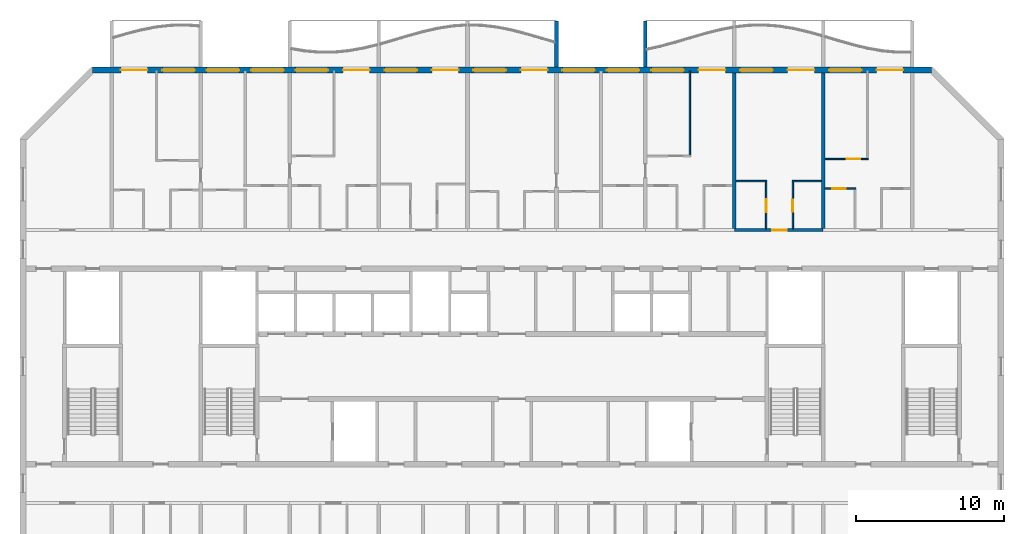
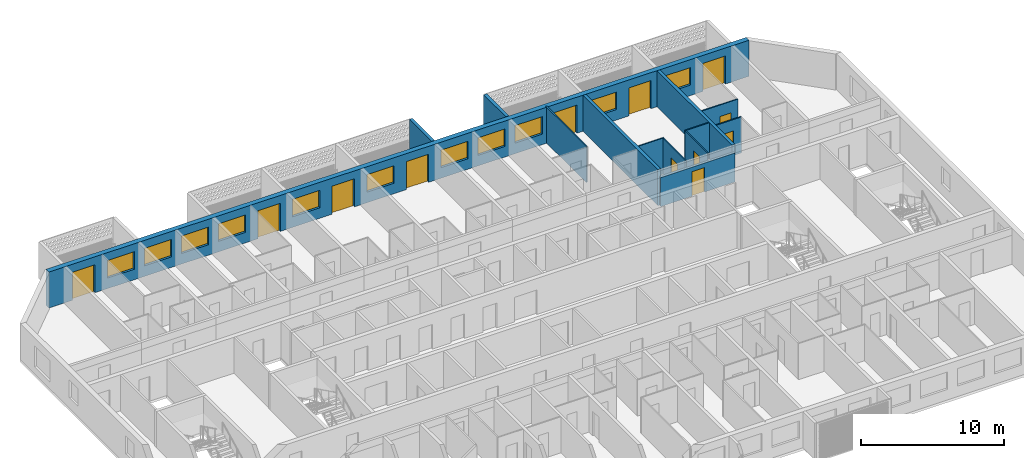
# One storey, part 10 of 29: 13 walls, 12 doors, 11 windows, 23 openings.
"""IFC4 building model written with IfcOpenShell, lengths in metres."""

from ifc_helpers import new_model, si_unit, direction, frame, frame_2d, origin, place, context, subcontext, project, spatial, polyline, rectangle, outline, extrude, source, transform, mapped, material, layer, layer_set, type_object, element, fill, save


model = new_model("IFC4")

# Units and contexts
model_context = context("Model", 3, precision=1e-05, world=origin(), true_north=direction((0.0, 1.0)))
body_context = subcontext(model_context, "Body", "Model", "MODEL_VIEW")
ifc_project = project(units=[si_unit("LENGTHUNIT", "METRE"), si_unit("AREAUNIT", "SQUARE_METRE"), si_unit("VOLUMEUNIT", "CUBIC_METRE"), si_unit("PLANEANGLEUNIT", "RADIAN"), si_unit("MASSUNIT", "GRAM", prefix="KILO")], contexts=[model_context])

# Site, building, storey
site_placement = place(None, origin())
site = spatial("IfcSite", under=ifc_project, at=site_placement, CompositionType="ELEMENT")
building_placement = place(site_placement, origin())
building = spatial("IfcBuilding", under=site, at=building_placement, Name="Poui Terraces", CompositionType="ELEMENT")
storey_placement = place(building_placement, frame((0.0, 0.0, 234.60009765625)))
storey = spatial("IfcBuildingStorey", under=building, at=storey_placement, Name="L65", CompositionType="ELEMENT", Elevation=234.60009765625)

# Wall, opening, door
ifc_material_1 = material(Name="Concrete 50 MPa", Category="concrete")
ifc_layer_1 = layer(ifc_material_1, 0.199951171875)
ifc_layer_set_1 = layer_set([ifc_layer_1], Name="Concrete 50 MPa")
wall_type_1 = type_object("IfcWallType", Name="CORRIDOR WALL 200 50MPa", PredefinedType="SHEAR", material=ifc_layer_set_1)
wall_1_placement = place(storey_placement, frame((66.0, 30.39990234375, 0.0), z_axis=(0.0, 0.0, 1.0), x_axis=(1.0, 0.0, 0.0)))
wall_1 = element("IfcWall", 1, at=wall_1_placement, inside=storey, type_object=wall_type_1, Name="CORRIDOR WALL LINE E BAY 9", PredefinedType="SHEAR", context=body_context, shape_type="SweptSolid", body=[
    extrude(rectangle(XDim=6.0, YDim=0.199951171875, at=frame_2d((3.0, 0.0))), origin(), (0.0, 0.0, 1.0), 2.47998046875),
])
opening_1_placement = place(wall_1_placement, frame((2.550048828125, 0.0, 0.0)))
opening_1 = element("IfcOpeningElement", 2, at=opening_1_placement, cuts=wall_1, Name="Opening FD30S", PredefinedType="OPENING", context=body_context, shape_type="SweptSolid", body=[
    extrude(rectangle(XDim=1.0, YDim=2.10009765625, at=frame_2d((0.5, 1.050048828125))), frame((0.0, 0.10986328125, 0.0), z_axis=(0.0, -1.0, 0.0), x_axis=(1.0, 0.0, 0.0)), (0.0, 0.0, 1.0), 0.219970703125),
])
ifc_material_2 = material(Name="Steel fire door", Category="steel")
door_type_1 = type_object("IfcDoorType", Name="FLAT ENTRANCE DOOR 1000 X 2100", OperationType="NOTDEFINED", PredefinedType="DOOR", material=ifc_material_2)
door_1_placement = place(opening_1_placement, origin())
door_1 = element("IfcDoor", 3, at=door_1_placement, inside=storey, type_object=door_type_1, Name="FLAT ENTRANCE DOOR 056", OperationType="SINGLE_SWING_RIGHT", OverallHeight=2.10009765625, OverallWidth=1.0, PredefinedType="DOOR", context=body_context, shape_type="SweptSolid", body=[
    extrude(rectangle(XDim=1.0, YDim=2.10009765625, at=frame_2d((0.5, 1.050048828125))), frame((0.0, 0.02490234375, 0.0), z_axis=(0.0, -1.0, 0.0), x_axis=(1.0, 0.0, 0.0)), (0.0, 0.0, 1.0), 0.050048828125),
])
fill(opening_1, door_1)

# Walls
ifc_layer_2 = layer(ifc_material_1, 0.25)
ifc_layer_set_2 = layer_set([ifc_layer_2], Name="Concrete 50 MPa")
wall_type_2 = type_object("IfcWallType", Name="CROSS WALL 250 50MPa", PredefinedType="SHEAR", material=ifc_layer_set_2)
for number, where, z_axis, x_axis, name in (
    (4, (66.0, 30.5, 0.0), (0.0, 0.0, 1.0), (0.0, 1.0, 0.0), "CROSS WALL LINE 12 NORTH"),
    (5, (72.0, 30.5, 0.0), (0.0, 0.0, 1.0), (0.0, 1.0, 0.0), "CROSS WALL LINE 13 NORTH"),
):
    element("IfcWall", number, at=place(storey_placement, frame(where, z_axis=z_axis, x_axis=x_axis)), inside=storey, type_object=wall_type_2, Name=name, PredefinedType="SHEAR", context=body_context, shape_type="SweptSolid", body=[
        extrude(rectangle(XDim=10.5, YDim=0.25, at=frame_2d((5.25, 0.0))), origin(), (0.0, 0.0, 1.0), 3.079833984375),
    ])

# Wall, openings, doors, windows
ifc_material_3 = material(Name="Precast concrete 40 MPa", Category="concrete")
ifc_layer_3 = layer(ifc_material_3, 0.39990234375)
ifc_layer_set_3 = layer_set([ifc_layer_3], Name="Precast concrete 40 MPa")
wall_type_3 = type_object("IfcWallType", Name="EXTERNAL WALL 400", PredefinedType="STANDARD", material=ifc_layer_set_3)
wall_2_placement = place(storey_placement, frame((79.317138671875, 41.199951171875, 0.0), z_axis=(0.0, 0.0, 1.0), x_axis=(-1.0, 0.0, 0.0)))
wall_2 = element("IfcWall", 6, at=wall_2_placement, inside=storey, type_object=wall_type_3, Name="EXTERNAL WALL N", PredefinedType="STANDARD", context=body_context, shape_type="SweptSolid", body=[
    extrude(rectangle(XDim=56.63427734375, YDim=0.39990234375, at=frame_2d((28.317138671875, 0.0))), origin(), (0.0, 0.0, 1.0), 3.079833984375),
])
opening_2_placement = place(wall_2_placement, frame((52.917236328125, 0.0, 0.0)))
opening_2 = element("IfcOpeningElement", 7, at=opening_2_placement, cuts=wall_2, Name="Opening BD1", PredefinedType="OPENING", context=body_context, shape_type="SweptSolid", body=[
    extrude(rectangle(XDim=1.800048828125, YDim=2.39990234375, at=frame_2d((0.89990234375, 1.199951171875))), frame((0.0, 0.2099609375, 0.0), z_axis=(0.0, -1.0, 0.0), x_axis=(1.0, 0.0, 0.0)), (0.0, 0.0, 1.0), 0.419921875),
])
opening_3_placement = place(wall_2_placement, frame((49.71728515625, 0.0, 0.89990234375)))
opening_3 = element("IfcOpeningElement", 8, at=opening_3_placement, cuts=wall_2, Name="Opening W1", PredefinedType="OPENING", context=body_context, shape_type="SweptSolid", body=[
    extrude(rectangle(XDim=2.199951171875, YDim=1.5, at=frame_2d((1.10009765625, 0.75))), frame((0.0, 0.2099609375, 0.0), z_axis=(0.0, -1.0, 0.0), x_axis=(1.0, 0.0, 0.0)), (0.0, 0.0, 1.0), 0.419921875),
])
opening_4_placement = place(wall_2_placement, frame((46.71728515625, 0.0, 0.89990234375)))
opening_4 = element("IfcOpeningElement", 9, at=opening_4_placement, cuts=wall_2, Name="Opening W1", PredefinedType="OPENING", context=body_context, shape_type="SweptSolid", body=[
    extrude(rectangle(XDim=2.199951171875, YDim=1.5, at=frame_2d((1.10009765625, 0.75))), frame((0.0, 0.2099609375, 0.0), z_axis=(0.0, -1.0, 0.0), x_axis=(1.0, 0.0, 0.0)), (0.0, 0.0, 1.0), 0.419921875),
])
opening_5_placement = place(wall_2_placement, frame((43.71728515625, 0.0, 0.89990234375)))
opening_5 = element("IfcOpeningElement", 10, at=opening_5_placement, cuts=wall_2, Name="Opening W1", PredefinedType="OPENING", context=body_context, shape_type="SweptSolid", body=[
    extrude(rectangle(XDim=2.199951171875, YDim=1.5, at=frame_2d((1.10009765625, 0.75))), frame((0.0, 0.2099609375, 0.0), z_axis=(0.0, -1.0, 0.0), x_axis=(1.0, 0.0, 0.0)), (0.0, 0.0, 1.0), 0.419921875),
])
opening_6_placement = place(wall_2_placement, frame((40.71728515625, 0.0, 0.89990234375)))
opening_6 = element("IfcOpeningElement", 11, at=opening_6_placement, cuts=wall_2, Name="Opening W1", PredefinedType="OPENING", context=body_context, shape_type="SweptSolid", body=[
    extrude(rectangle(XDim=2.199951171875, YDim=1.5, at=frame_2d((1.10009765625, 0.75))), frame((0.0, 0.2099609375, 0.0), z_axis=(0.0, -1.0, 0.0), x_axis=(1.0, 0.0, 0.0)), (0.0, 0.0, 1.0), 0.419921875),
])
opening_7_placement = place(wall_2_placement, frame((37.917236328125, 0.0, 0.0)))
opening_7 = element("IfcOpeningElement", 12, at=opening_7_placement, cuts=wall_2, Name="Opening BD1", PredefinedType="OPENING", context=body_context, shape_type="SweptSolid", body=[
    extrude(rectangle(XDim=1.800048828125, YDim=2.39990234375, at=frame_2d((0.89990234375, 1.199951171875))), frame((0.0, 0.2099609375, 0.0), z_axis=(0.0, -1.0, 0.0), x_axis=(1.0, 0.0, 0.0)), (0.0, 0.0, 1.0), 0.419921875),
])
opening_8_placement = place(wall_2_placement, frame((34.71728515625, 0.0, 0.89990234375)))
opening_8 = element("IfcOpeningElement", 13, at=opening_8_placement, cuts=wall_2, Name="Opening W1", PredefinedType="OPENING", context=body_context, shape_type="SweptSolid", body=[
    extrude(rectangle(XDim=2.199951171875, YDim=1.5, at=frame_2d((1.10009765625, 0.75))), frame((0.0, 0.2099609375, 0.0), z_axis=(0.0, -1.0, 0.0), x_axis=(1.0, 0.0, 0.0)), (0.0, 0.0, 1.0), 0.419921875),
])
opening_9_placement = place(wall_2_placement, frame((31.917236328125, 0.0, 0.0)))
opening_9 = element("IfcOpeningElement", 14, at=opening_9_placement, cuts=wall_2, Name="Opening BD1", PredefinedType="OPENING", context=body_context, shape_type="SweptSolid", body=[
    extrude(rectangle(XDim=1.800048828125, YDim=2.39990234375, at=frame_2d((0.89990234375, 1.199951171875))), frame((0.0, 0.2099609375, 0.0), z_axis=(0.0, -1.0, 0.0), x_axis=(1.0, 0.0, 0.0)), (0.0, 0.0, 1.0), 0.419921875),
])
opening_10_placement = place(wall_2_placement, frame((28.71728515625, 0.0, 0.89990234375)))
opening_10 = element("IfcOpeningElement", 15, at=opening_10_placement, cuts=wall_2, Name="Opening W1", PredefinedType="OPENING", context=body_context, shape_type="SweptSolid", body=[
    extrude(rectangle(XDim=2.199951171875, YDim=1.5, at=frame_2d((1.10009765625, 0.75))), frame((0.0, 0.2099609375, 0.0), z_axis=(0.0, -1.0, 0.0), x_axis=(1.0, 0.0, 0.0)), (0.0, 0.0, 1.0), 0.419921875),
])
opening_11_placement = place(wall_2_placement, frame((25.917236328125, 0.0, 0.0)))
opening_11 = element("IfcOpeningElement", 16, at=opening_11_placement, cuts=wall_2, Name="Opening BD1", PredefinedType="OPENING", context=body_context, shape_type="SweptSolid", body=[
    extrude(rectangle(XDim=1.800048828125, YDim=2.39990234375, at=frame_2d((0.89990234375, 1.199951171875))), frame((0.0, 0.2099609375, 0.0), z_axis=(0.0, -1.0, 0.0), x_axis=(1.0, 0.0, 0.0)), (0.0, 0.0, 1.0), 0.419921875),
])
opening_12_placement = place(wall_2_placement, frame((22.71728515625, 0.0, 0.89990234375)))
opening_12 = element("IfcOpeningElement", 17, at=opening_12_placement, cuts=wall_2, Name="Opening W1", PredefinedType="OPENING", context=body_context, shape_type="SweptSolid", body=[
    extrude(rectangle(XDim=2.199951171875, YDim=1.5, at=frame_2d((1.10009765625, 0.75))), frame((0.0, 0.2099609375, 0.0), z_axis=(0.0, -1.0, 0.0), x_axis=(1.0, 0.0, 0.0)), (0.0, 0.0, 1.0), 0.419921875),
])
opening_13_placement = place(wall_2_placement, frame((19.71728515625, 0.0, 0.89990234375)))
opening_13 = element("IfcOpeningElement", 18, at=opening_13_placement, cuts=wall_2, Name="Opening W1", PredefinedType="OPENING", context=body_context, shape_type="SweptSolid", body=[
    extrude(rectangle(XDim=2.199951171875, YDim=1.5, at=frame_2d((1.10009765625, 0.75))), frame((0.0, 0.2099609375, 0.0), z_axis=(0.0, -1.0, 0.0), x_axis=(1.0, 0.0, 0.0)), (0.0, 0.0, 1.0), 0.419921875),
])
opening_14_placement = place(wall_2_placement, frame((16.71728515625, 0.0, 0.89990234375)))
opening_14 = element("IfcOpeningElement", 19, at=opening_14_placement, cuts=wall_2, Name="Opening W1", PredefinedType="OPENING", context=body_context, shape_type="SweptSolid", body=[
    extrude(rectangle(XDim=2.199951171875, YDim=1.5, at=frame_2d((1.10009765625, 0.75))), frame((0.0, 0.2099609375, 0.0), z_axis=(0.0, -1.0, 0.0), x_axis=(1.0, 0.0, 0.0)), (0.0, 0.0, 1.0), 0.419921875),
])
opening_15_placement = place(wall_2_placement, frame((13.917236328125, 0.0, 0.0)))
opening_15 = element("IfcOpeningElement", 20, at=opening_15_placement, cuts=wall_2, Name="Opening BD1", PredefinedType="OPENING", context=body_context, shape_type="SweptSolid", body=[
    extrude(rectangle(XDim=1.800048828125, YDim=2.39990234375, at=frame_2d((0.89990234375, 1.199951171875))), frame((0.0, 0.2099609375, 0.0), z_axis=(0.0, -1.0, 0.0), x_axis=(1.0, 0.0, 0.0)), (0.0, 0.0, 1.0), 0.419921875),
])
opening_16_placement = place(wall_2_placement, frame((10.71728515625, 0.0, 0.89990234375)))
opening_16 = element("IfcOpeningElement", 21, at=opening_16_placement, cuts=wall_2, Name="Opening W1", PredefinedType="OPENING", context=body_context, shape_type="SweptSolid", body=[
    extrude(rectangle(XDim=2.199951171875, YDim=1.5, at=frame_2d((1.10009765625, 0.75))), frame((0.0, 0.2099609375, 0.0), z_axis=(0.0, -1.0, 0.0), x_axis=(1.0, 0.0, 0.0)), (0.0, 0.0, 1.0), 0.419921875),
])
opening_17_placement = place(wall_2_placement, frame((7.917236328125, 0.0, 0.0)))
opening_17 = element("IfcOpeningElement", 22, at=opening_17_placement, cuts=wall_2, Name="Opening BD1", PredefinedType="OPENING", context=body_context, shape_type="SweptSolid", body=[
    extrude(rectangle(XDim=1.800048828125, YDim=2.39990234375, at=frame_2d((0.89990234375, 1.199951171875))), frame((0.0, 0.2099609375, 0.0), z_axis=(0.0, -1.0, 0.0), x_axis=(1.0, 0.0, 0.0)), (0.0, 0.0, 1.0), 0.419921875),
])
opening_18_placement = place(wall_2_placement, frame((4.71728515625, 0.0, 0.89990234375)))
opening_18 = element("IfcOpeningElement", 23, at=opening_18_placement, cuts=wall_2, Name="Opening W1", PredefinedType="OPENING", context=body_context, shape_type="SweptSolid", body=[
    extrude(rectangle(XDim=2.199951171875, YDim=1.5, at=frame_2d((1.10009765625, 0.75))), frame((0.0, 0.2099609375, 0.0), z_axis=(0.0, -1.0, 0.0), x_axis=(1.0, 0.0, 0.0)), (0.0, 0.0, 1.0), 0.419921875),
])
opening_19_placement = place(wall_2_placement, frame((1.917236328125, 0.0, 0.0)))
opening_19 = element("IfcOpeningElement", 24, at=opening_19_placement, cuts=wall_2, Name="Opening BD1", PredefinedType="OPENING", context=body_context, shape_type="SweptSolid", body=[
    extrude(rectangle(XDim=1.800048828125, YDim=2.39990234375, at=frame_2d((0.89990234375, 1.199951171875))), frame((0.0, 0.2099609375, 0.0), z_axis=(0.0, -1.0, 0.0), x_axis=(1.0, 0.0, 0.0)), (0.0, 0.0, 1.0), 0.419921875),
])
ifc_material_4 = material(Name="Clear glass in aluminium frame", Category="aluminium")
door_type_2 = type_object("IfcDoorType", Name="BALCONY DOOR 1800X2400", OperationType="DOUBLE_DOOR_SLIDING", PredefinedType="DOOR", material=ifc_material_4)
door_2_placement = place(opening_2_placement, origin())
door_2 = element("IfcDoor", 25, at=door_2_placement, inside=storey, type_object=door_type_2, Name="BD1 BALCONY DOOR", OperationType="DOUBLE_DOOR_SLIDING", OverallHeight=2.39990234375, OverallWidth=1.800048828125, PredefinedType="DOOR", context=body_context, shape_type="SweptSolid", body=[
    extrude(rectangle(XDim=1.800048828125, YDim=2.39990234375, at=frame_2d((0.89990234375, 1.199951171875))), frame((0.0, 0.02490234375, 0.0), z_axis=(0.0, -1.0, 0.0), x_axis=(1.0, 0.0, 0.0)), (0.0, 0.0, 1.0), 0.050048828125),
])
fill(opening_2, door_2)
door_3_placement = place(opening_7_placement, origin())
door_3 = element("IfcDoor", 26, at=door_3_placement, inside=storey, type_object=door_type_2, Name="BD1 BALCONY DOOR", OperationType="DOUBLE_DOOR_SLIDING", OverallHeight=2.39990234375, OverallWidth=1.800048828125, PredefinedType="DOOR", context=body_context, shape_type="SweptSolid", body=[
    extrude(rectangle(XDim=1.800048828125, YDim=2.39990234375, at=frame_2d((0.89990234375, 1.199951171875))), frame((0.0, 0.02490234375, 0.0), z_axis=(0.0, -1.0, 0.0), x_axis=(1.0, 0.0, 0.0)), (0.0, 0.0, 1.0), 0.050048828125),
])
fill(opening_7, door_3)
door_4_placement = place(opening_9_placement, origin())
door_4 = element("IfcDoor", 27, at=door_4_placement, inside=storey, type_object=door_type_2, Name="BD1 BALCONY DOOR", OperationType="DOUBLE_DOOR_SLIDING", OverallHeight=2.39990234375, OverallWidth=1.800048828125, PredefinedType="DOOR", context=body_context, shape_type="SweptSolid", body=[
    extrude(rectangle(XDim=1.800048828125, YDim=2.39990234375, at=frame_2d((0.89990234375, 1.199951171875))), frame((0.0, 0.02490234375, 0.0), z_axis=(0.0, -1.0, 0.0), x_axis=(1.0, 0.0, 0.0)), (0.0, 0.0, 1.0), 0.050048828125),
])
fill(opening_9, door_4)
door_5_placement = place(opening_11_placement, origin())
door_5 = element("IfcDoor", 28, at=door_5_placement, inside=storey, type_object=door_type_2, Name="BD1 BALCONY DOOR", OperationType="DOUBLE_DOOR_SLIDING", OverallHeight=2.39990234375, OverallWidth=1.800048828125, PredefinedType="DOOR", context=body_context, shape_type="SweptSolid", body=[
    extrude(rectangle(XDim=1.800048828125, YDim=2.39990234375, at=frame_2d((0.89990234375, 1.199951171875))), frame((0.0, 0.02490234375, 0.0), z_axis=(0.0, -1.0, 0.0), x_axis=(1.0, 0.0, 0.0)), (0.0, 0.0, 1.0), 0.050048828125),
])
fill(opening_11, door_5)
door_6_placement = place(opening_15_placement, origin())
door_6 = element("IfcDoor", 29, at=door_6_placement, inside=storey, type_object=door_type_2, Name="BD1 BALCONY DOOR", OperationType="DOUBLE_DOOR_SLIDING", OverallHeight=2.39990234375, OverallWidth=1.800048828125, PredefinedType="DOOR", context=body_context, shape_type="SweptSolid", body=[
    extrude(rectangle(XDim=1.800048828125, YDim=2.39990234375, at=frame_2d((0.89990234375, 1.199951171875))), frame((0.0, 0.02490234375, 0.0), z_axis=(0.0, -1.0, 0.0), x_axis=(1.0, 0.0, 0.0)), (0.0, 0.0, 1.0), 0.050048828125),
])
fill(opening_15, door_6)
door_7_placement = place(opening_17_placement, origin())
door_7 = element("IfcDoor", 30, at=door_7_placement, inside=storey, type_object=door_type_2, Name="BD1 BALCONY DOOR", OperationType="DOUBLE_DOOR_SLIDING", OverallHeight=2.39990234375, OverallWidth=1.800048828125, PredefinedType="DOOR", context=body_context, shape_type="SweptSolid", body=[
    extrude(rectangle(XDim=1.800048828125, YDim=2.39990234375, at=frame_2d((0.89990234375, 1.199951171875))), frame((0.0, 0.02490234375, 0.0), z_axis=(0.0, -1.0, 0.0), x_axis=(1.0, 0.0, 0.0)), (0.0, 0.0, 1.0), 0.050048828125),
])
fill(opening_17, door_7)
door_8_placement = place(opening_19_placement, origin())
door_8 = element("IfcDoor", 31, at=door_8_placement, inside=storey, type_object=door_type_2, Name="BD1 BALCONY DOOR", OperationType="DOUBLE_DOOR_SLIDING", OverallHeight=2.39990234375, OverallWidth=1.800048828125, PredefinedType="DOOR", context=body_context, shape_type="SweptSolid", body=[
    extrude(rectangle(XDim=1.800048828125, YDim=2.39990234375, at=frame_2d((0.89990234375, 1.199951171875))), frame((0.0, 0.02490234375, 0.0), z_axis=(0.0, -1.0, 0.0), x_axis=(1.0, 0.0, 0.0)), (0.0, 0.0, 1.0), 0.050048828125),
])
fill(opening_19, door_8)
window_type = type_object("IfcWindowType", Name="WINDOW 2200X1500", PartitioningType="DOUBLE_PANEL_HORIZONTAL", PredefinedType="WINDOW", material=ifc_material_4)
window_1_placement = place(opening_3_placement, origin())
window_1 = element("IfcWindow", 32, at=window_1_placement, inside=storey, type_object=window_type, Name="W1 WINDOW", OverallHeight=1.5, OverallWidth=2.199951171875, PartitioningType="DOUBLE_PANEL_HORIZONTAL", PredefinedType="WINDOW", context=body_context, shape_type="SweptSolid", body=[
    extrude(rectangle(XDim=2.199951171875, YDim=1.5, at=frame_2d((1.10009765625, 0.75))), frame((0.0, 0.030029296875, 0.0), z_axis=(0.0, -1.0, 0.0), x_axis=(1.0, 0.0, 0.0)), (0.0, 0.0, 1.0), 0.06005859375),
])
fill(opening_3, window_1)
window_2_placement = place(opening_4_placement, origin())
window_2 = element("IfcWindow", 33, at=window_2_placement, inside=storey, type_object=window_type, Name="W1 WINDOW", OverallHeight=1.5, OverallWidth=2.199951171875, PartitioningType="DOUBLE_PANEL_HORIZONTAL", PredefinedType="WINDOW", context=body_context, shape_type="SweptSolid", body=[
    extrude(rectangle(XDim=2.199951171875, YDim=1.5, at=frame_2d((1.10009765625, 0.75))), frame((0.0, 0.030029296875, 0.0), z_axis=(0.0, -1.0, 0.0), x_axis=(1.0, 0.0, 0.0)), (0.0, 0.0, 1.0), 0.06005859375),
])
fill(opening_4, window_2)
window_3_placement = place(opening_5_placement, origin())
window_3 = element("IfcWindow", 34, at=window_3_placement, inside=storey, type_object=window_type, Name="W1 WINDOW", OverallHeight=1.5, OverallWidth=2.199951171875, PartitioningType="DOUBLE_PANEL_HORIZONTAL", PredefinedType="WINDOW", context=body_context, shape_type="SweptSolid", body=[
    extrude(rectangle(XDim=2.199951171875, YDim=1.5, at=frame_2d((1.10009765625, 0.75))), frame((0.0, 0.030029296875, 0.0), z_axis=(0.0, -1.0, 0.0), x_axis=(1.0, 0.0, 0.0)), (0.0, 0.0, 1.0), 0.06005859375),
])
fill(opening_5, window_3)
window_4_placement = place(opening_6_placement, origin())
window_4 = element("IfcWindow", 35, at=window_4_placement, inside=storey, type_object=window_type, Name="W1 WINDOW", OverallHeight=1.5, OverallWidth=2.199951171875, PartitioningType="DOUBLE_PANEL_HORIZONTAL", PredefinedType="WINDOW", context=body_context, shape_type="SweptSolid", body=[
    extrude(rectangle(XDim=2.199951171875, YDim=1.5, at=frame_2d((1.10009765625, 0.75))), frame((0.0, 0.030029296875, 0.0), z_axis=(0.0, -1.0, 0.0), x_axis=(1.0, 0.0, 0.0)), (0.0, 0.0, 1.0), 0.06005859375),
])
fill(opening_6, window_4)
window_5_placement = place(opening_8_placement, origin())
window_5 = element("IfcWindow", 36, at=window_5_placement, inside=storey, type_object=window_type, Name="W1 WINDOW", OverallHeight=1.5, OverallWidth=2.199951171875, PartitioningType="DOUBLE_PANEL_HORIZONTAL", PredefinedType="WINDOW", context=body_context, shape_type="SweptSolid", body=[
    extrude(rectangle(XDim=2.199951171875, YDim=1.5, at=frame_2d((1.10009765625, 0.75))), frame((0.0, 0.030029296875, 0.0), z_axis=(0.0, -1.0, 0.0), x_axis=(1.0, 0.0, 0.0)), (0.0, 0.0, 1.0), 0.06005859375),
])
fill(opening_8, window_5)
window_6_placement = place(opening_10_placement, origin())
window_6 = element("IfcWindow", 37, at=window_6_placement, inside=storey, type_object=window_type, Name="W1 WINDOW", OverallHeight=1.5, OverallWidth=2.199951171875, PartitioningType="DOUBLE_PANEL_HORIZONTAL", PredefinedType="WINDOW", context=body_context, shape_type="SweptSolid", body=[
    extrude(rectangle(XDim=2.199951171875, YDim=1.5, at=frame_2d((1.10009765625, 0.75))), frame((0.0, 0.030029296875, 0.0), z_axis=(0.0, -1.0, 0.0), x_axis=(1.0, 0.0, 0.0)), (0.0, 0.0, 1.0), 0.06005859375),
])
fill(opening_10, window_6)
window_7_placement = place(opening_12_placement, origin())
window_7 = element("IfcWindow", 38, at=window_7_placement, inside=storey, type_object=window_type, Name="W1 WINDOW", OverallHeight=1.5, OverallWidth=2.199951171875, PartitioningType="DOUBLE_PANEL_HORIZONTAL", PredefinedType="WINDOW", context=body_context, shape_type="SweptSolid", body=[
    extrude(rectangle(XDim=2.199951171875, YDim=1.5, at=frame_2d((1.10009765625, 0.75))), frame((0.0, 0.030029296875, 0.0), z_axis=(0.0, -1.0, 0.0), x_axis=(1.0, 0.0, 0.0)), (0.0, 0.0, 1.0), 0.06005859375),
])
fill(opening_12, window_7)
window_8_placement = place(opening_13_placement, origin())
window_8 = element("IfcWindow", 39, at=window_8_placement, inside=storey, type_object=window_type, Name="W1 WINDOW", OverallHeight=1.5, OverallWidth=2.199951171875, PartitioningType="DOUBLE_PANEL_HORIZONTAL", PredefinedType="WINDOW", context=body_context, shape_type="SweptSolid", body=[
    extrude(rectangle(XDim=2.199951171875, YDim=1.5, at=frame_2d((1.10009765625, 0.75))), frame((0.0, 0.030029296875, 0.0), z_axis=(0.0, -1.0, 0.0), x_axis=(1.0, 0.0, 0.0)), (0.0, 0.0, 1.0), 0.06005859375),
])
fill(opening_13, window_8)
window_9_placement = place(opening_14_placement, origin())
window_9 = element("IfcWindow", 40, at=window_9_placement, inside=storey, type_object=window_type, Name="W1 WINDOW", OverallHeight=1.5, OverallWidth=2.199951171875, PartitioningType="DOUBLE_PANEL_HORIZONTAL", PredefinedType="WINDOW", context=body_context, shape_type="SweptSolid", body=[
    extrude(rectangle(XDim=2.199951171875, YDim=1.5, at=frame_2d((1.10009765625, 0.75))), frame((0.0, 0.030029296875, 0.0), z_axis=(0.0, -1.0, 0.0), x_axis=(1.0, 0.0, 0.0)), (0.0, 0.0, 1.0), 0.06005859375),
])
fill(opening_14, window_9)
window_10_placement = place(opening_16_placement, origin())
window_10 = element("IfcWindow", 41, at=window_10_placement, inside=storey, type_object=window_type, Name="W1 WINDOW", OverallHeight=1.5, OverallWidth=2.199951171875, PartitioningType="DOUBLE_PANEL_HORIZONTAL", PredefinedType="WINDOW", context=body_context, shape_type="SweptSolid", body=[
    extrude(rectangle(XDim=2.199951171875, YDim=1.5, at=frame_2d((1.10009765625, 0.75))), frame((0.0, 0.030029296875, 0.0), z_axis=(0.0, -1.0, 0.0), x_axis=(1.0, 0.0, 0.0)), (0.0, 0.0, 1.0), 0.06005859375),
])
fill(opening_16, window_10)
window_11_placement = place(opening_18_placement, origin())
window_11 = element("IfcWindow", 42, at=window_11_placement, inside=storey, type_object=window_type, Name="W1 WINDOW", OverallHeight=1.5, OverallWidth=2.199951171875, PartitioningType="DOUBLE_PANEL_HORIZONTAL", PredefinedType="WINDOW", context=body_context, shape_type="SweptSolid", body=[
    extrude(rectangle(XDim=2.199951171875, YDim=1.5, at=frame_2d((1.10009765625, 0.75))), frame((0.0, 0.030029296875, 0.0), z_axis=(0.0, -1.0, 0.0), x_axis=(1.0, 0.0, 0.0)), (0.0, 0.0, 1.0), 0.06005859375),
])
fill(opening_18, window_11)

# Wall, opening, door
ifc_material_5 = material(Name="Plasterboard partition")
ifc_layer_4 = layer(ifc_material_5, 0.10009765625)
ifc_layer_set_4 = layer_set([ifc_layer_4], Name="Plasterboard partition")
wall_type_4 = type_object("IfcWallType", Name="FLAT PARTITION 100", PredefinedType="PARTITIONING", material=ifc_layer_set_4)
wall_3_placement = place(storey_placement, frame((72.135009765625, 33.199951171875, 0.0), z_axis=(0.0, 0.0, 1.0), x_axis=(1.0, 0.0, 0.0)))
wall_3 = element("IfcWall", 43, at=wall_3_placement, inside=storey, type_object=wall_type_4, Name="FLAT PARTITION 100", PredefinedType="PARTITIONING", context=body_context, shape_type="SweptSolid", body=[
    extrude(rectangle(XDim=2.06494140625, YDim=0.10009765625, at=frame_2d((1.032470703125, 0.0))), origin(), (0.0, 0.0, 1.0), 3.079833984375),
])
opening_20_placement = place(wall_3_placement, frame((0.489990234375, 0.0, 0.0)))
opening_20 = element("IfcOpeningElement", 44, at=opening_20_placement, cuts=wall_3, Name="Opening D90", PredefinedType="OPENING", context=body_context, shape_type="SweptSolid", body=[
    extrude(rectangle(XDim=0.89990234375, YDim=2.10009765625, at=frame_2d((0.449951171875, 1.050048828125))), frame((0.0, 0.06005859375, 0.0), z_axis=(0.0, -1.0, 0.0), x_axis=(1.0, 0.0, 0.0)), (0.0, 0.0, 1.0), 0.1201171875),
])
ifc_material_6 = material(Name="Solid core timber door", Category="wood")
door_type_3 = type_object("IfcDoorType", Name="INTERNAL DOOR 900 X 2100", OperationType="NOTDEFINED", PredefinedType="DOOR", material=ifc_material_6)
door_9_placement = place(opening_20_placement, frame((0.89990234375, 0.0, 0.0), z_axis=(0.0, 0.0, 1.0), x_axis=(-1.0, 0.0, 0.0)))
door_9 = element("IfcDoor", 45, at=door_9_placement, inside=storey, type_object=door_type_3, Name="INTERNAL DOOR 058", OperationType="SINGLE_SWING_LEFT", OverallHeight=2.10009765625, OverallWidth=0.89990234375, PredefinedType="DOOR", context=body_context, shape_type="SweptSolid", body=[
    extrude(rectangle(XDim=0.89990234375, YDim=2.10009765625, at=frame_2d((0.449951171875, 1.050048828125))), frame((0.0, 0.02490234375, 0.0), z_axis=(0.0, -1.0, 0.0), x_axis=(1.0, 0.0, 0.0)), (0.0, 0.0, 1.0), 0.050048828125),
])
fill(opening_20, door_9)

# Walls
wall_4_placement = place(storey_placement, frame((66.135009765625, 33.699951171875, 0.0), z_axis=(0.0, 0.0, 1.0), x_axis=(1.0, 0.0, 0.0)))
element("IfcWall", 46, at=wall_4_placement, inside=storey, type_object=wall_type_4, Name="FLAT PARTITION 100", PredefinedType="PARTITIONING", context=body_context, shape_type="SweptSolid", body=[
    extrude(rectangle(XDim=2.06494140625, YDim=0.10009765625, at=frame_2d((1.032470703125, 0.0))), origin(), (0.0, 0.0, 1.0), 3.079833984375),
])
wall_5_placement = place(storey_placement, frame((69.89990234375, 33.699951171875, 0.0), z_axis=(0.0, 0.0, 1.0), x_axis=(1.0, 0.0, 0.0)))
element("IfcWall", 47, at=wall_5_placement, inside=storey, type_object=wall_type_4, Name="FLAT PARTITION 100", PredefinedType="PARTITIONING", context=body_context, shape_type="SweptSolid", body=[
    extrude(rectangle(XDim=1.965087890625, YDim=0.10009765625, at=frame_2d((0.982421875, 0.0))), origin(), (0.0, 0.0, 1.0), 3.079833984375),
])

# Wall, opening, door
wall_6_placement = place(storey_placement, frame((72.135009765625, 35.199951171875, 0.0), z_axis=(0.0, 0.0, 1.0), x_axis=(1.0, 0.0, 0.0)))
wall_6 = element("IfcWall", 48, at=wall_6_placement, inside=storey, type_object=wall_type_4, Name="FLAT PARTITION 100", PredefinedType="PARTITIONING", context=body_context, shape_type="SweptSolid", body=[
    extrude(rectangle(XDim=2.9150390625, YDim=0.10009765625, at=frame_2d((1.45751953125, 0.0))), origin(), (0.0, 0.0, 1.0), 3.079833984375),
])
opening_21_placement = place(wall_6_placement, frame((1.465087890625, 0.0, 0.0)))
opening_21 = element("IfcOpeningElement", 49, at=opening_21_placement, cuts=wall_6, Name="Opening D90", PredefinedType="OPENING", context=body_context, shape_type="SweptSolid", body=[
    extrude(rectangle(XDim=0.89990234375, YDim=2.10009765625, at=frame_2d((0.449951171875, 1.050048828125))), frame((0.0, 0.06005859375, 0.0), z_axis=(0.0, -1.0, 0.0), x_axis=(1.0, 0.0, 0.0)), (0.0, 0.0, 1.0), 0.1201171875),
])
door_10_placement = place(opening_21_placement, frame((0.89990234375, 0.0, 0.0), z_axis=(0.0, 0.0, 1.0), x_axis=(-1.0, 0.0, 0.0)))
door_10 = element("IfcDoor", 50, at=door_10_placement, inside=storey, type_object=door_type_3, Name="INTERNAL DOOR 059", OperationType="SINGLE_SWING_RIGHT", OverallHeight=2.10009765625, OverallWidth=0.89990234375, PredefinedType="DOOR", context=body_context, shape_type="SweptSolid", body=[
    extrude(rectangle(XDim=0.89990234375, YDim=2.10009765625, at=frame_2d((0.449951171875, 1.050048828125))), frame((0.0, 0.02490234375, 0.0), z_axis=(0.0, -1.0, 0.0), x_axis=(1.0, 0.0, 0.0)), (0.0, 0.0, 1.0), 0.050048828125),
])
fill(opening_21, door_10)

# Wall
wall_7_placement = place(storey_placement, frame((63.0, 35.449951171875, 0.0), z_axis=(0.0, 0.0, 1.0), x_axis=(0.0, 1.0, 0.0)))
element("IfcWall", 51, at=wall_7_placement, inside=storey, type_object=wall_type_4, Name="FLAT PARTITION 100", PredefinedType="PARTITIONING", context=body_context, shape_type="SweptSolid", body=[
    extrude(rectangle(XDim=5.68994140625, YDim=0.10009765625, at=frame_2d((2.844970703125, 0.0))), origin(), (0.0, 0.0, 1.0), 3.079833984375),
])

# Wall, opening, door
wall_8_placement = place(storey_placement, frame((68.14990234375, 30.510009765625, 0.0), z_axis=(0.0, 0.0, 1.0), x_axis=(0.0, 1.0, 0.0)))
wall_8 = element("IfcWall", 52, at=wall_8_placement, inside=storey, type_object=wall_type_4, Name="FLAT PARTITION 100", PredefinedType="PARTITIONING", context=body_context, shape_type="SweptSolid", body=[
    extrude(rectangle(XDim=3.139892578125, YDim=0.10009765625, at=frame_2d((1.56982421875, 0.0))), origin(), (0.0, 0.0, 1.0), 3.079833984375),
])
opening_22_placement = place(wall_8_placement, frame((1.090087890625, 0.0, 0.0)))
opening_22 = element("IfcOpeningElement", 53, at=opening_22_placement, cuts=wall_8, Name="Opening D90", PredefinedType="OPENING", context=body_context, shape_type="SweptSolid", body=[
    extrude(rectangle(XDim=0.89990234375, YDim=2.10009765625, at=frame_2d((0.449951171875, 1.050048828125))), frame((0.0, 0.06005859375, 0.0), z_axis=(0.0, -1.0, 0.0), x_axis=(1.0, 0.0, 0.0)), (0.0, 0.0, 1.0), 0.1201171875),
])
door_11_placement = place(opening_22_placement, origin())
door_11 = element("IfcDoor", 54, at=door_11_placement, inside=storey, type_object=door_type_3, Name="INTERNAL DOOR 055", OperationType="SINGLE_SWING_RIGHT", OverallHeight=2.10009765625, OverallWidth=0.89990234375, PredefinedType="DOOR", context=body_context, shape_type="SweptSolid", body=[
    extrude(rectangle(XDim=0.89990234375, YDim=2.10009765625, at=frame_2d((0.449951171875, 1.050048828125))), frame((0.0, 0.02490234375, 0.0), z_axis=(0.0, -1.0, 0.0), x_axis=(1.0, 0.0, 0.0)), (0.0, 0.0, 1.0), 0.050048828125),
])
fill(opening_22, door_11)

wall_9_placement = place(storey_placement, frame((69.949951171875, 30.510009765625, 0.0), z_axis=(0.0, 0.0, 1.0), x_axis=(0.0, 1.0, 0.0)))
wall_9 = element("IfcWall", 55, at=wall_9_placement, inside=storey, type_object=wall_type_4, Name="FLAT PARTITION 100", PredefinedType="PARTITIONING", context=body_context, shape_type="SweptSolid", body=[
    extrude(rectangle(XDim=3.139892578125, YDim=0.10009765625, at=frame_2d((1.56982421875, 0.0))), origin(), (0.0, 0.0, 1.0), 3.079833984375),
])
opening_23_placement = place(wall_9_placement, frame((1.139892578125, 0.0, 0.0)))
opening_23 = element("IfcOpeningElement", 56, at=opening_23_placement, cuts=wall_9, Name="Opening D80", PredefinedType="OPENING", context=body_context, shape_type="SweptSolid", body=[
    extrude(rectangle(XDim=0.800048828125, YDim=2.10009765625, at=frame_2d((0.39990234375, 1.050048828125))), frame((0.0, 0.06005859375, 0.0), z_axis=(0.0, -1.0, 0.0), x_axis=(1.0, 0.0, 0.0)), (0.0, 0.0, 1.0), 0.1201171875),
])
door_type_4 = type_object("IfcDoorType", Name="BATHROOM, LAUNDRY AND STORE DOOR 800 X 2100", OperationType="NOTDEFINED", PredefinedType="DOOR", material=ifc_material_6)
door_12_placement = place(opening_23_placement, frame((0.800048828125, 0.0, 0.0), z_axis=(0.0, 0.0, 1.0), x_axis=(-1.0, 0.0, 0.0)))
door_12 = element("IfcDoor", 57, at=door_12_placement, inside=storey, type_object=door_type_4, Name="BATHROOM, LAUNDRY AND STORE DOOR 057", OperationType="SINGLE_SWING_RIGHT", OverallHeight=2.10009765625, OverallWidth=0.800048828125, PredefinedType="DOOR", context=body_context, shape_type="SweptSolid", body=[
    extrude(rectangle(XDim=0.800048828125, YDim=2.10009765625, at=frame_2d((0.39990234375, 1.050048828125))), frame((0.0, 0.02490234375, 0.0), z_axis=(0.0, -1.0, 0.0), x_axis=(1.0, 0.0, 0.0)), (0.0, 0.0, 1.0), 0.050048828125),
])
fill(opening_23, door_12)

# Walls
ifc_layer_5 = layer(ifc_material_3, 0.25)
ifc_layer_set_5 = layer_set([ifc_layer_5], Name="Precast concrete 40 MPa")
wall_type_5 = type_object("IfcWallType", Name="BALCONY FIN 250", PredefinedType="STANDARD", material=ifc_layer_set_5)
shared_shape = source(origin(), body_context, "Body", "SweptSolid", [
    extrude(outline(polyline([(0.0, 0.0), (0.25, 0.0), (0.25, 3.10009765625), (0.0, 3.10009765625), (0.0, 0.0)])), origin(), (0.0, 0.0, 1.0), 3.099853515625),
])
for number, where, name in (
    (58, (53.875, 41.39990234375, 0.0), "BALCONY FIN"),
    (59, (59.875, 41.39990234375, 0.0), "BALCONY FIN"),
):
    element("IfcWall", number, at=place(storey_placement, frame(where)), inside=storey, type_object=wall_type_5, Name=name, PredefinedType="STANDARD", context=body_context, shape_type="MappedRepresentation", body=[
        mapped(shared_shape, transform((0.0, 0.0, 0.0))),
    ])

save(model, "model.ifc")
